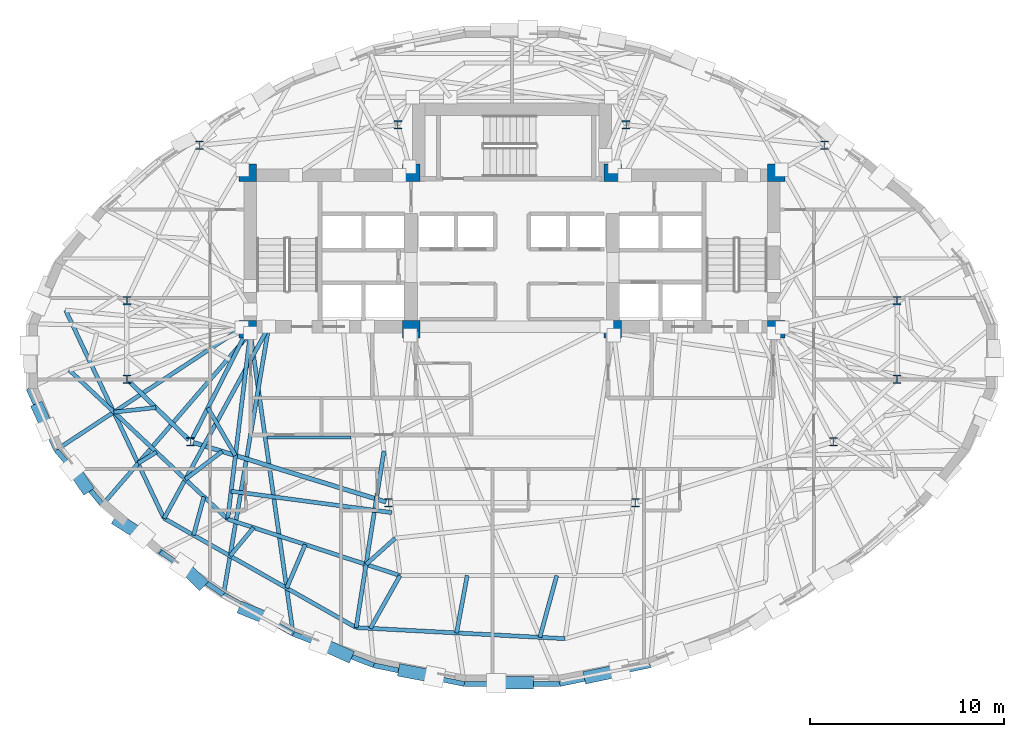
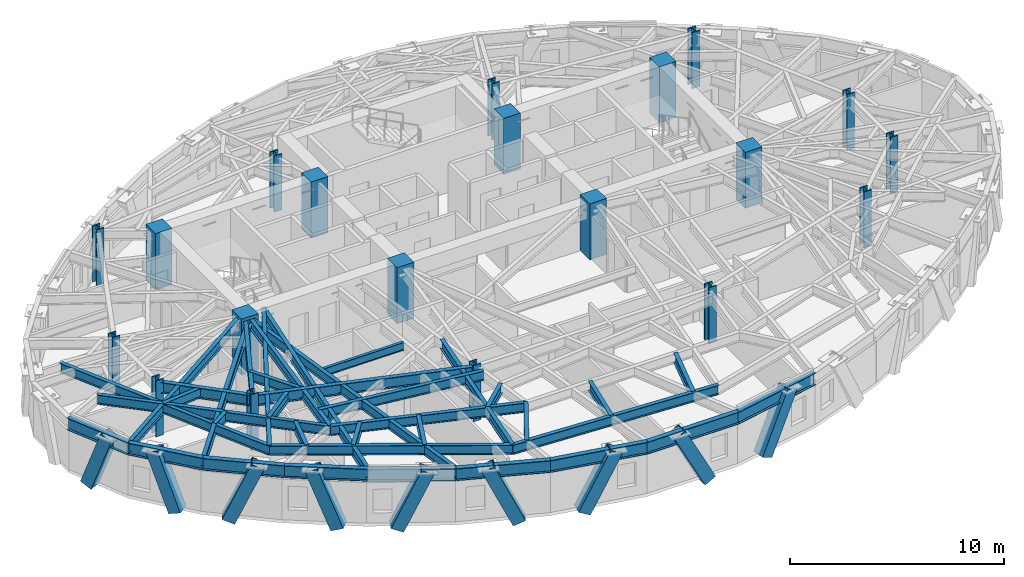
# One storey, part 1 of 14: 37 beams, 20 columns, 9 members.
"""IFC4 building model written with IfcOpenShell, lengths in metres."""

from ifc_helpers import new_model, si_unit, direction, frame, origin, origin_2d, place, context, subcontext, project, spatial, rectangle, hollow_rectangle, i_section, extrude, material, material_profile, profile_set, type_object, element, save


model = new_model("IFC4")

# Units and contexts
model_context = context("Model", 3, precision=1e-05, world=origin(), true_north=direction((0.0, 1.0)))
body_context = subcontext(model_context, "Body", "Model", "MODEL_VIEW")
ifc_project = project(units=[si_unit("LENGTHUNIT", "METRE"), si_unit("AREAUNIT", "SQUARE_METRE"), si_unit("VOLUMEUNIT", "CUBIC_METRE"), si_unit("PLANEANGLEUNIT", "RADIAN"), si_unit("MASSUNIT", "GRAM", prefix="KILO")], contexts=[model_context])

# Site, building, storey
site_placement = place(None, origin())
site = spatial("IfcSite", under=ifc_project, at=site_placement, CompositionType="ELEMENT")
building_placement = place(site_placement, origin())
building = spatial("IfcBuilding", under=site, at=building_placement, Name="Keldmark Tower", CompositionType="ELEMENT")
storey_placement = place(building_placement, frame((0.0, 0.0, 179.0)))
storey = spatial("IfcBuildingStorey", under=building, at=storey_placement, Name="L49", CompositionType="ELEMENT", Elevation=179.0)

# Columns
ifc_material_1 = material(Name="Concrete C50/60", Category="concrete")
ifc_material_profile_1 = material_profile(ifc_material_1, rectangle(XDim=0.89990234375, YDim=0.89990234375, at=origin_2d()), Name="RC900X900")
ifc_profile_set_1 = profile_set([ifc_material_profile_1], Name="Concrete C50/60")
column_type_1 = type_object("IfcColumnType", Name="Core Boundary Column RC900", PredefinedType="COLUMN", material=ifc_profile_set_1)
for number, where, z_axis, x_axis, name in (
    (1, (-13.60009765625, 1.39990234375, 0.0), (0.0, 0.0, 1.0), (1.0, 0.0, 0.0), "L49 Core Boundary Column CC-W1"),
    (2, (-13.60009765625, 9.449951171875, 0.0), (0.0, 0.0, 1.0), (1.0, 0.0, 0.0), "L49 Core Boundary Column CC-W2"),
    (3, (-5.199951171875, 1.39990234375, 0.0), (0.0, 0.0, 1.0), (1.0, 0.0, 0.0), "L49 Core Boundary Column CC-W3"),
    (4, (-5.199951171875, 9.449951171875, 0.0), (0.0, 0.0, 1.0), (1.0, 0.0, 0.0), "L49 Core Boundary Column CC-W4"),
    (5, (5.199951171875, 1.39990234375, 0.0), (0.0, 0.0, 1.0), (1.0, 0.0, 0.0), "L49 Core Boundary Column CC-E1"),
    (6, (5.199951171875, 9.449951171875, 0.0), (0.0, 0.0, 1.0), (1.0, 0.0, 0.0), "L49 Core Boundary Column CC-E2"),
    (7, (13.60009765625, 1.39990234375, 0.0), (0.0, 0.0, 1.0), (1.0, 0.0, 0.0), "L49 Core Boundary Column CC-E3"),
    (8, (13.60009765625, 9.449951171875, 0.0), (0.0, 0.0, 1.0), (1.0, 0.0, 0.0), "L49 Core Boundary Column CC-E4"),
):
    element("IfcColumn", number, at=place(storey_placement, frame(where, z_axis=z_axis, x_axis=x_axis)), inside=storey, type_object=column_type_1, Name=name, PredefinedType="COLUMN", context=body_context, shape_type="SweptSolid", body=[
        extrude(rectangle(XDim=0.89990234375, YDim=0.89990234375, at=origin_2d()), origin(), (0.0, 0.0, 1.0), 3.199951171875),
    ])
ifc_material_2 = material(Name="Steel ASTM A992 Grade 50", Category="steel")
ifc_material_profile_2 = material_profile(ifc_material_2, i_section(OverallWidth=0.412109375, OverallDepth=0.43505859375, WebThickness=0.035888671875, FlangeThickness=0.057373046875, at=origin_2d()), Name="W14X311")
ifc_profile_set_2 = profile_set([ifc_material_profile_2], Name="Steel ASTM A992 Grade 50")
column_type_2 = type_object("IfcColumnType", Name="Tower Gravity Column W14X311", PredefinedType="COLUMN", material=ifc_profile_set_2)
for number, where, z_axis, x_axis, name in (
    (9, (19.828369140625, 2.869140625, 0.0), (0.0, 0.0, 1.0), (1.0, 0.0, 0.0), "L49 Tower Gravity Column TC-E1"),
    (10, (16.08154296875, 10.861083984375, 0.0), (0.0, 0.0, 1.0), (1.0, 0.0, 0.0), "L49 Tower Gravity Column TC-E4"),
    (11, (5.880126953125, 11.915283203125, 0.0), (0.0, 0.0, 1.0), (1.0, 0.0, 0.0), "L49 Tower Gravity Column TC-N2"),
    (12, (-5.880126953125, 11.915283203125, 0.0), (0.0, 0.0, 1.0), (1.0, 0.0, 0.0), "L49 Tower Gravity Column TC-N1"),
    (13, (-16.08154296875, 10.861083984375, 0.0), (0.0, 0.0, 1.0), (1.0, 0.0, 0.0), "L49 Tower Gravity Column TC-W4"),
    (14, (-19.828369140625, 2.869140625, 0.0), (0.0, 0.0, 1.0), (1.0, 0.0, 0.0), "L49 Tower Gravity Column TC-W1"),
    (15, (-19.828369140625, -1.189208984375, 0.0), (0.0, 0.0, 1.0), (1.0, 0.0, 0.0), "L49 Tower Gravity Column TC-W5"),
    (16, (-16.546630859375, -4.3984375, 0.0), (0.0, 0.0, 1.0), (1.0, 0.0, 0.0), "L49 Tower Gravity Column TC-W2"),
    (17, (-6.351318359375, -7.546142578125, 0.0), (0.0, 0.0, 1.0), (1.0, 0.0, 0.0), "L49 Tower Gravity Column TC-W3"),
    (18, (6.351318359375, -7.546142578125, 0.0), (0.0, 0.0, 1.0), (1.0, 0.0, 0.0), "L49 Tower Gravity Column TC-E3"),
    (19, (16.546630859375, -4.3984375, 0.0), (0.0, 0.0, 1.0), (1.0, 0.0, 0.0), "L49 Tower Gravity Column TC-E2"),
    (20, (19.828369140625, -1.189208984375, 0.0), (0.0, 0.0, 1.0), (1.0, 0.0, 0.0), "L49 Tower Gravity Column TC-E5"),
):
    element("IfcColumn", number, at=place(storey_placement, frame(where, z_axis=z_axis, x_axis=x_axis)), inside=storey, type_object=column_type_2, Name=name, PredefinedType="COLUMN", context=body_context, shape_type="SweptSolid", body=[
        extrude(i_section(OverallWidth=0.412109375, OverallDepth=0.43505859375, WebThickness=0.035888671875, FlangeThickness=0.057373046875, at=origin_2d()), origin(), (0.0, 0.0, 1.0), 3.199951171875),
    ])

# Beam
ifc_material_3 = material(Name="Steel ASTM A992 Grade 50", Category="steel")
ifc_material_profile_3 = material_profile(ifc_material_3, i_section(OverallWidth=0.153076171875, OverallDepth=0.455078125, WebThickness=0.008056640625, FlangeThickness=0.01318359375, at=origin_2d()), Name="W18X40")
ifc_profile_set_3 = profile_set([ifc_material_profile_3], Name="Steel ASTM A992 Grade 50")
beam_type_1 = type_object("IfcBeamType", Name="Composite Floor Joist W18X40", PredefinedType="JOIST", material=ifc_profile_set_3)
beam_1_placement = place(storey_placement, frame((-12.61181640625, -4.179931640625, 2.79248046875), z_axis=(1.0, 0.0, 0.0), x_axis=(0.0, 1.0, 0.0)))
element("IfcBeam", 21, at=beam_1_placement, inside=storey, type_object=beam_type_1, Name="L49 Composite Floor Joist J01", PredefinedType="JOIST", context=body_context, shape_type="SweptSolid", body=[
    extrude(i_section(OverallWidth=0.153076171875, OverallDepth=0.455078125, WebThickness=0.008056640625, FlangeThickness=0.01318359375, at=origin_2d()), origin(), (0.0, 0.0, 1.0), 4.33203125),
])

# Members
ifc_material_4 = material(Name="Steel ASTM A572 Grade 50", Category="steel")
ifc_material_profile_4 = material_profile(ifc_material_4, hollow_rectangle(XDim=0.64990234375, YDim=0.64990234375, WallThickness=0.0400390625, at=origin_2d()), Name="BOX650X650X40")
ifc_profile_set_4 = profile_set([ifc_material_profile_4], Name="Steel ASTM A572 Grade 50")
member_type = type_object("IfcMemberType", Name="Diagrid Zone 3 Brace BOX650X650X40", PredefinedType="BRACE", material=ifc_profile_set_4)
member_1_placement = place(storey_placement, frame((-24.37158203125, -2.715087890625, -0.260009765625), z_axis=(0.143149940841, -0.312492040143, 0.939072318453), x_axis=(0.909148088369, 0.41647299242, 0.0)))
element("IfcMember", 22, at=member_1_placement, inside=storey, type_object=member_type, Name="L49 Perimeter Diagrid Brace 09A", PredefinedType="BRACE", context=body_context, shape_type="SweptSolid", body=[
    extrude(hollow_rectangle(XDim=0.64990234375, YDim=0.64990234375, WallThickness=0.0400390625, at=origin_2d()), origin(), (0.0, 0.0, 1.0), 3.364990234375),
])
member_2_placement = place(storey_placement, frame((-21.949462890625, -6.727294921875, -0.260009765625), z_axis=(-0.198464214627, 0.29031900784, 0.936123298075), x_axis=(-0.825539243753, -0.564344714713, 0.0)))
element("IfcMember", 23, at=member_2_placement, inside=storey, type_object=member_type, Name="L49 Perimeter Diagrid Brace 09B", PredefinedType="BRACE", context=body_context, shape_type="SweptSolid", body=[
    extrude(hollow_rectangle(XDim=0.64990234375, YDim=0.64990234375, WallThickness=0.0400390625, at=origin_2d()), origin(), (0.0, 0.0, 1.0), 3.37548828125),
])
member_3_placement = place(storey_placement, frame((-20.210693359375, -8.498046875, -0.260009765625), z_axis=(0.339267777896, -0.212608751465, 0.916348674731), x_axis=(0.531015818922, 0.847361906186, 0.0)))
element("IfcMember", 24, at=member_3_placement, inside=storey, type_object=member_type, Name="L49 Perimeter Diagrid Brace 10A", PredefinedType="BRACE", context=body_context, shape_type="SweptSolid", body=[
    extrude(hollow_rectangle(XDim=0.64990234375, YDim=0.64990234375, WallThickness=0.0400390625, at=origin_2d()), origin(), (0.0, 0.0, 1.0), 3.448486328125),
])
member_4_placement = place(storey_placement, frame((-16.072998046875, -11.631103515625, -0.260009765625), z_axis=(-0.264379087452, 0.254965208556, 0.9301056072), x_axis=(-0.694175398338, -0.719805887961, 0.0)))
element("IfcMember", 25, at=member_4_placement, inside=storey, type_object=member_type, Name="L49 Perimeter Diagrid Brace 10B", PredefinedType="BRACE", context=body_context, shape_type="SweptSolid", body=[
    extrude(hollow_rectangle(XDim=0.64990234375, YDim=0.64990234375, WallThickness=0.0400390625, at=origin_2d()), origin(), (0.0, 0.0, 1.0), 3.3974609375),
])
member_5_placement = place(storey_placement, frame((-13.76318359375, -13.027587890625, -0.260009765625), z_axis=(0.385020429939, -0.156566073719, 0.909530831302), x_axis=(0.376689941266, 0.926339402243, 0.0)))
element("IfcMember", 26, at=member_5_placement, inside=storey, type_object=member_type, Name="L49 Perimeter Diagrid Brace 11A", PredefinedType="BRACE", context=body_context, shape_type="SweptSolid", body=[
    extrude(hollow_rectangle(XDim=0.64990234375, YDim=0.64990234375, WallThickness=0.0400390625, at=origin_2d()), origin(), (0.0, 0.0, 1.0), 3.47412109375),
])
member_6_placement = place(storey_placement, frame((-8.516357421875, -15.385009765625, -0.260009765625), z_axis=(-0.384793069564, 0.173696179927, 0.906511958385), x_axis=(-0.411426697056, -0.911442852268, 0.0)))
element("IfcMember", 27, at=member_6_placement, inside=storey, type_object=member_type, Name="L49 Perimeter Diagrid Brace 11B", PredefinedType="BRACE", context=body_context, shape_type="SweptSolid", body=[
    extrude(hollow_rectangle(XDim=0.64990234375, YDim=0.64990234375, WallThickness=0.0400390625, at=origin_2d()), origin(), (0.0, 0.0, 1.0), 3.48583984375),
])
member_7_placement = place(storey_placement, frame((-5.5595703125, -16.2021484375, -0.260009765625), z_axis=(0.44299787084, -0.084337857416, 0.89254692439), x_axis=(0.187020756818, 0.982355962225, 0.0)))
element("IfcMember", 28, at=member_7_placement, inside=storey, type_object=member_type, Name="L49 Perimeter Diagrid Brace 12A", PredefinedType="BRACE", context=body_context, shape_type="SweptSolid", body=[
    extrude(hollow_rectangle(XDim=0.64990234375, YDim=0.64990234375, WallThickness=0.0400390625, at=origin_2d()), origin(), (0.0, 0.0, 1.0), 3.540283203125),
])
member_8_placement = place(storey_placement, frame((0.82275390625, -16.805419921875, -0.260009765625), z_axis=(-0.459383152838, -0.004323444671, 0.888227688554), x_axis=(0.009410996427, -0.999955715593, 0.0)))
element("IfcMember", 29, at=member_8_placement, inside=storey, type_object=member_type, Name="L49 Perimeter Diagrid Brace 12B", PredefinedType="BRACE", context=body_context, shape_type="SweptSolid", body=[
    extrude(hollow_rectangle(XDim=0.64990234375, YDim=0.64990234375, WallThickness=0.0400390625, at=origin_2d()), origin(), (0.0, 0.0, 1.0), 3.5576171875),
])
member_9_placement = place(storey_placement, frame((4.0078125, -16.502685546875, -0.260009765625), z_axis=(0.438744111946, 0.092334468388, 0.893855665183), x_axis=(-0.205940614609, 0.978564491107, 0.0)))
element("IfcMember", 30, at=member_9_placement, inside=storey, type_object=member_type, Name="L49 Perimeter Diagrid Brace 13A", PredefinedType="BRACE", context=body_context, shape_type="SweptSolid", body=[
    extrude(hollow_rectangle(XDim=0.64990234375, YDim=0.64990234375, WallThickness=0.0400390625, at=origin_2d()), origin(), (0.0, 0.0, 1.0), 3.53515625),
])

# Beams
ifc_material_5 = material(Name="Steel ASTM A992 Grade 50", Category="steel")
ifc_material_profile_5 = material_profile(ifc_material_5, i_section(OverallWidth=0.22900390625, OverallDepth=0.612060546875, WebThickness=0.011962890625, FlangeThickness=0.01953125, at=origin_2d()), Name="W24X84")
ifc_profile_set_5 = profile_set([ifc_material_profile_5], Name="Steel ASTM A992 Grade 50")
beam_type_2 = type_object("IfcBeamType", Name="Primary Floor Girder W24X84", PredefinedType="BEAM", material=ifc_profile_set_5)
beam_2_placement = place(storey_placement, frame((-19.728271484375, -1.287109375, 2.714111328125), z_axis=(0.714964509815, -0.699160746684, 0.0), x_axis=(0.699160746684, 0.714964509815, 0.0)))
element("IfcBeam", 31, at=beam_2_placement, inside=storey, type_object=beam_type_2, Name="L49 Floor Ring Girder FG-R07", PredefinedType="BEAM", context=body_context, shape_type="SweptSolid", body=[
    extrude(i_section(OverallWidth=0.22900390625, OverallDepth=0.612060546875, WebThickness=0.011962890625, FlangeThickness=0.01953125, at=origin_2d()), origin(), (0.0, 0.0, 1.0), 4.31005859375),
])
beam_3_placement = place(storey_placement, frame((-16.412841796875, -4.439697265625, 2.714111328125), z_axis=(0.955494563145, -0.295008711398, 0.0), x_axis=(0.295008711398, 0.955494563145, 0.0)))
element("IfcBeam", 32, at=beam_3_placement, inside=storey, type_object=beam_type_2, Name="L49 Floor Ring Girder FG-R08", PredefinedType="BEAM", context=body_context, shape_type="SweptSolid", body=[
    extrude(i_section(OverallWidth=0.22900390625, OverallDepth=0.612060546875, WebThickness=0.011962890625, FlangeThickness=0.01953125, at=origin_2d()), origin(), (0.0, 0.0, 1.0), 10.39013671875),
])
ifc_material_6 = material(Name="Steel ASTM A992 Grade 50", Category="steel")
ifc_material_profile_6 = material_profile(ifc_material_6, i_section(OverallWidth=0.2099609375, OverallDepth=0.537109375, WebThickness=0.010986328125, FlangeThickness=0.017333984375, at=origin_2d()), Name="W21X68")
ifc_profile_set_6 = profile_set([ifc_material_profile_6], Name="Steel ASTM A992 Grade 50")
beam_type_3 = type_object("IfcBeamType", Name="Radial Tie Girder W21X68", PredefinedType="BEAM", material=ifc_profile_set_6)
beam_4_placement = place(storey_placement, frame((-16.4833984375, -4.273681640625, 2.75146484375), z_axis=(0.453036691775, 0.891491870914, 0.0), x_axis=(-0.891491870914, 0.453036691775, 0.0)))
element("IfcBeam", 33, at=beam_4_placement, inside=storey, type_object=beam_type_3, Name="L49 Floor Radial Girder FG-C08", PredefinedType="BEAM", context=body_context, shape_type="SweptSolid", body=[
    extrude(i_section(OverallWidth=0.2099609375, OverallDepth=0.537109375, WebThickness=0.010986328125, FlangeThickness=0.017333984375, at=origin_2d()), origin(), (0.0, 0.0, 1.0), 6.044189453125),
])
beam_5_placement = place(storey_placement, frame((-15.661865234375, -2.6572265625, 2.75146484375), z_axis=(0.501056642961, -0.865414490602, 0.0), x_axis=(0.865414490602, 0.501056642961, 0.0)))
element("IfcBeam", 34, at=beam_5_placement, inside=storey, type_object=beam_type_3, Name="L49 Framing Pin Header PH-004", PredefinedType="BEAM", context=body_context, shape_type="SweptSolid", body=[
    extrude(i_section(OverallWidth=0.2099609375, OverallDepth=0.537109375, WebThickness=0.010986328125, FlangeThickness=0.017333984375, at=origin_2d()), origin(), (0.0, 0.0, 1.0), 2.834228515625),
])
beam_6_placement = place(storey_placement, frame((-13.47509765625, 1.199951171875, 2.75146484375), z_axis=(-0.120593299153, -0.992701997681, 0.0), x_axis=(0.992701997681, -0.120593299153, 0.0)))
element("IfcBeam", 35, at=beam_6_placement, inside=storey, type_object=beam_type_3, Name="L49 Sub-Ring Step Girder STP1-M08", PredefinedType="BEAM", context=body_context, shape_type="SweptSolid", body=[
    extrude(i_section(OverallWidth=0.2099609375, OverallDepth=0.537109375, WebThickness=0.010986328125, FlangeThickness=0.017333984375, at=origin_2d()), origin(), (0.0, 0.0, 1.0), 9.658935546875),
])
beam_7_placement = place(storey_placement, frame((-14.465087890625, -6.9501953125, 2.75146484375), z_axis=(0.99126946128, -0.131851640616, 0.0), x_axis=(0.131851640616, 0.99126946128, 0.0)))
element("IfcBeam", 36, at=beam_7_placement, inside=storey, type_object=beam_type_3, Name="L49 Framing Pin Header PH-005", PredefinedType="BEAM", context=body_context, shape_type="SweptSolid", body=[
    extrude(i_section(OverallWidth=0.2099609375, OverallDepth=0.537109375, WebThickness=0.010986328125, FlangeThickness=0.017333984375, at=origin_2d()), origin(), (0.0, 0.0, 1.0), 8.352783203125),
])
beam_8_placement = place(storey_placement, frame((-22.80029296875, -0.709228515625, 2.75146484375), z_axis=(0.728252440847, -0.685308968568, 0.0), x_axis=(0.685308968568, 0.728252440847, 0.0)))
element("IfcBeam", 37, at=beam_8_placement, inside=storey, type_object=beam_type_3, Name="L49 Perimeter Collector Ring Beam CRG1-M07", PredefinedType="BEAM", context=body_context, shape_type="SweptSolid", body=[
    extrude(i_section(OverallWidth=0.2099609375, OverallDepth=0.537109375, WebThickness=0.010986328125, FlangeThickness=0.017333984375, at=origin_2d()), origin(), (0.0, 0.0, 1.0), 11.20556640625),
])
beam_9_placement = place(storey_placement, frame((-14.639892578125, -8.388427734375, 2.75146484375), z_axis=(0.950389680724, -0.31106181825, 0.0), x_axis=(0.31106181825, 0.950389680724, 0.0)))
element("IfcBeam", 38, at=beam_9_placement, inside=storey, type_object=beam_type_3, Name="L49 Perimeter Collector Ring Beam CRG1-M08", PredefinedType="BEAM", context=body_context, shape_type="SweptSolid", body=[
    extrude(i_section(OverallWidth=0.2099609375, OverallDepth=0.537109375, WebThickness=0.010986328125, FlangeThickness=0.017333984375, at=origin_2d()), origin(), (0.0, 0.0, 1.0), 9.33740234375),
])
beam_10_placement = place(storey_placement, frame((-14.923583984375, -4.8994140625, 2.75146484375), z_axis=(-0.796589046339, -0.604521208273, 0.0), x_axis=(0.604521208273, -0.796589046339, 0.0)))
element("IfcBeam", 39, at=beam_10_placement, inside=storey, type_object=beam_type_3, Name="L49 Framing Pin Header PH-010", PredefinedType="BEAM", context=body_context, shape_type="SweptSolid", body=[
    extrude(i_section(OverallWidth=0.2099609375, OverallDepth=0.537109375, WebThickness=0.010986328125, FlangeThickness=0.017333984375, at=origin_2d()), origin(), (0.0, 0.0, 1.0), 2.379638671875),
])
beam_11_placement = place(storey_placement, frame((-12.52490234375, 1.52490234375, 2.75146484375), z_axis=(-0.479300633445, -0.877650786349, 0.0), x_axis=(0.877650786349, -0.479300633445, 0.0)))
element("IfcBeam", 40, at=beam_11_placement, inside=storey, type_object=beam_type_3, Name="L49 Sub-Ring Step Girder STP2-M08", PredefinedType="BEAM", context=body_context, shape_type="SweptSolid", body=[
    extrude(i_section(OverallWidth=0.2099609375, OverallDepth=0.537109375, WebThickness=0.010986328125, FlangeThickness=0.017333984375, at=origin_2d()), origin(), (0.0, 0.0, 1.0), 11.24951171875),
])
beam_12_placement = place(storey_placement, frame((-6.014404296875, -9.3701171875, 2.75146484375), z_axis=(-0.743209932569, -0.669058290533, 0.0), x_axis=(0.669058290533, -0.743209932569, 0.0)))
element("IfcBeam", 41, at=beam_12_placement, inside=storey, type_object=beam_type_3, Name="L49 Framing Pin Header PH-011", PredefinedType="BEAM", context=body_context, shape_type="SweptSolid", body=[
    extrude(i_section(OverallWidth=0.2099609375, OverallDepth=0.537109375, WebThickness=0.010986328125, FlangeThickness=0.017333984375, at=origin_2d()), origin(), (0.0, 0.0, 1.0), 2.018310546875),
])
beam_13_placement = place(storey_placement, frame((-6.59521484375, -4.884033203125, 2.75146484375), z_axis=(-0.155579656689, -0.987823349807, 0.0), x_axis=(0.987823349807, -0.155579656689, 0.0)))
element("IfcBeam", 42, at=beam_13_placement, inside=storey, type_object=beam_type_3, Name="L49 Sub-Ring Step Girder STP2-M09", PredefinedType="BEAM", context=body_context, shape_type="SweptSolid", body=[
    extrude(i_section(OverallWidth=0.2099609375, OverallDepth=0.537109375, WebThickness=0.010986328125, FlangeThickness=0.017333984375, at=origin_2d()), origin(), (0.0, 0.0, 1.0), 9.200439453125),
])
beam_14_placement = place(storey_placement, frame((-22.98974609375, 2.373291015625, 2.75146484375), z_axis=(0.4277023001, -0.903919654886, 0.0), x_axis=(0.903919654886, 0.4277023001, 0.0)))
element("IfcBeam", 43, at=beam_14_placement, inside=storey, type_object=beam_type_3, Name="L49 Perimeter Collector Ring Beam CRG2-M07", PredefinedType="BEAM", context=body_context, shape_type="SweptSolid", body=[
    extrude(i_section(OverallWidth=0.2099609375, OverallDepth=0.537109375, WebThickness=0.010986328125, FlangeThickness=0.017333984375, at=origin_2d()), origin(), (0.0, 0.0, 1.0), 11.861083984375),
])
beam_15_placement = place(storey_placement, frame((-17.916748046875, -8.34814453125, 2.75146484375), z_axis=(0.86927258149, -0.494333064917, 0.0), x_axis=(0.494333064917, 0.86927258149, 0.0)))
element("IfcBeam", 44, at=beam_15_placement, inside=storey, type_object=beam_type_3, Name="L49 Perimeter Collector Ring Beam CRG2-M08", PredefinedType="BEAM", context=body_context, shape_type="SweptSolid", body=[
    extrude(i_section(OverallWidth=0.2099609375, OverallDepth=0.537109375, WebThickness=0.010986328125, FlangeThickness=0.017333984375, at=origin_2d()), origin(), (0.0, 0.0, 1.0), 11.37744140625),
])
beam_16_placement = place(storey_placement, frame((-8.026611328125, -13.972412109375, 2.75146484375), z_axis=(0.998596398245, -0.052964454239, 0.0), x_axis=(0.052964454239, 0.998596398245, 0.0)))
element("IfcBeam", 45, at=beam_16_placement, inside=storey, type_object=beam_type_3, Name="L49 Perimeter Collector Ring Beam CRG2-M09", PredefinedType="BEAM", context=body_context, shape_type="SweptSolid", body=[
    extrude(i_section(OverallWidth=0.2099609375, OverallDepth=0.537109375, WebThickness=0.010986328125, FlangeThickness=0.017333984375, at=origin_2d()), origin(), (0.0, 0.0, 1.0), 10.7724609375),
])
beam_17_placement = place(storey_placement, frame((-18.341552734375, -2.643310546875, 2.75146484375), z_axis=(-0.994183696144, -0.107697624498, 0.0), x_axis=(0.107697624498, -0.994183696144, 0.0)))
element("IfcBeam", 46, at=beam_17_placement, inside=storey, type_object=beam_type_3, Name="L49 Framing Pin Header PH-028", PredefinedType="BEAM", context=body_context, shape_type="SweptSolid", body=[
    extrude(i_section(OverallWidth=0.2099609375, OverallDepth=0.537109375, WebThickness=0.010986328125, FlangeThickness=0.017333984375, at=origin_2d()), origin(), (0.0, 0.0, 1.0), 2.17626953125),
])
beam_18_placement = place(storey_placement, frame((-13.800048828125, 1.52490234375, 2.75146484375), z_axis=(-0.83590818194, -0.548869302627, 0.0), x_axis=(0.548869302627, -0.83590818194, 0.0)))
element("IfcBeam", 47, at=beam_18_placement, inside=storey, type_object=beam_type_3, Name="L49 Perimeter Radial Tie Girder RT-18", PredefinedType="BEAM", context=body_context, shape_type="SweptSolid", body=[
    extrude(i_section(OverallWidth=0.2099609375, OverallDepth=0.537109375, WebThickness=0.010986328125, FlangeThickness=0.017333984375, at=origin_2d()), origin(), (0.0, 0.0, 1.0), 11.573486328125),
])
beam_19_placement = place(storey_placement, frame((-18.31201171875, -4.932861328125, 2.75146484375), z_axis=(-0.850152680378, -0.526536247609, 0.0), x_axis=(0.526536247609, -0.850152680378, 0.0)))
element("IfcBeam", 48, at=beam_19_placement, inside=storey, type_object=beam_type_3, Name="L49 Framing Pin Header PH-029", PredefinedType="BEAM", context=body_context, shape_type="SweptSolid", body=[
    extrude(i_section(OverallWidth=0.2099609375, OverallDepth=0.537109375, WebThickness=0.010986328125, FlangeThickness=0.017333984375, at=origin_2d()), origin(), (0.0, 0.0, 1.0), 1.110595703125),
])
beam_20_placement = place(storey_placement, frame((-13.47509765625, 1.199951171875, 2.75146484375), z_axis=(-0.652300379165, -0.757960563183, 0.0), x_axis=(0.757960563183, -0.652300379165, 0.0)))
element("IfcBeam", 49, at=beam_20_placement, inside=storey, type_object=beam_type_3, Name="L49 Perimeter Radial Tie Girder RT-19", PredefinedType="BEAM", context=body_context, shape_type="SweptSolid", body=[
    extrude(i_section(OverallWidth=0.2099609375, OverallDepth=0.537109375, WebThickness=0.010986328125, FlangeThickness=0.017333984375, at=origin_2d()), origin(), (0.0, 0.0, 1.0), 11.66162109375),
])
beam_21_placement = place(storey_placement, frame((-15.864013671875, -7.236572265625, 2.75146484375), z_axis=(-0.26132977809, -0.965249577614, 0.0), x_axis=(0.965249577614, -0.26132977809, 0.0)))
element("IfcBeam", 50, at=beam_21_placement, inside=storey, type_object=beam_type_3, Name="L49 Framing Pin Header PH-030", PredefinedType="BEAM", context=body_context, shape_type="SweptSolid", body=[
    extrude(i_section(OverallWidth=0.2099609375, OverallDepth=0.537109375, WebThickness=0.010986328125, FlangeThickness=0.017333984375, at=origin_2d()), origin(), (0.0, 0.0, 1.0), 2.0458984375),
])
beam_22_placement = place(storey_placement, frame((-13.308837890625, -8.82421875, 2.75146484375), z_axis=(-0.638699200345, -0.769456516951, 0.0), x_axis=(0.769456516951, -0.638699200345, 0.0)))
element("IfcBeam", 51, at=beam_22_placement, inside=storey, type_object=beam_type_3, Name="L49 Framing Pin Header PH-031", PredefinedType="BEAM", context=body_context, shape_type="SweptSolid", body=[
    extrude(i_section(OverallWidth=0.2099609375, OverallDepth=0.537109375, WebThickness=0.010986328125, FlangeThickness=0.017333984375, at=origin_2d()), origin(), (0.0, 0.0, 1.0), 1.893310546875),
])
beam_23_placement = place(storey_placement, frame((-12.52490234375, 1.52490234375, 2.75146484375), z_axis=(-0.166481407077, -0.986044593869, 0.0), x_axis=(0.986044593869, -0.166481407077, 0.0)))
element("IfcBeam", 52, at=beam_23_placement, inside=storey, type_object=beam_type_3, Name="L49 Perimeter Radial Tie Girder RT-21", PredefinedType="BEAM", context=body_context, shape_type="SweptSolid", body=[
    extrude(i_section(OverallWidth=0.2099609375, OverallDepth=0.537109375, WebThickness=0.010986328125, FlangeThickness=0.017333984375, at=origin_2d()), origin(), (0.0, 0.0, 1.0), 13.990234375),
])
beam_24_placement = place(storey_placement, frame((-10.646484375, -9.695556640625, 2.75146484375), z_axis=(-0.392577592234, -0.919718888615, 0.0), x_axis=(0.919718888615, -0.392577592234, 0.0)))
element("IfcBeam", 53, at=beam_24_placement, inside=storey, type_object=beam_type_3, Name="L49 Framing Pin Header PH-032", PredefinedType="BEAM", context=body_context, shape_type="SweptSolid", body=[
    extrude(i_section(OverallWidth=0.2099609375, OverallDepth=0.537109375, WebThickness=0.010986328125, FlangeThickness=0.017333984375, at=origin_2d()), origin(), (0.0, 0.0, 1.0), 2.4384765625),
])
beam_25_placement = place(storey_placement, frame((-13.47509765625, 1.199951171875, 2.75146484375), z_axis=(0.141008521913, -0.99000838216, 0.0), x_axis=(0.99000838216, 0.141008521913, 0.0)))
element("IfcBeam", 54, at=beam_25_placement, inside=storey, type_object=beam_type_3, Name="L49 Perimeter Radial Tie Girder RT-22", PredefinedType="BEAM", context=body_context, shape_type="SweptSolid", body=[
    extrude(i_section(OverallWidth=0.2099609375, OverallDepth=0.537109375, WebThickness=0.010986328125, FlangeThickness=0.017333984375, at=origin_2d()), origin(), (0.0, 0.0, 1.0), 15.648193359375),
])
beam_26_placement = place(storey_placement, frame((-5.765625, -11.29296875, 2.75146484375), z_axis=(-0.489878324061, -0.871790816432, 0.0), x_axis=(0.871790816432, -0.489878324061, 0.0)))
element("IfcBeam", 55, at=beam_26_placement, inside=storey, type_object=beam_type_3, Name="L49 Framing Pin Header PH-033", PredefinedType="BEAM", context=body_context, shape_type="SweptSolid", body=[
    extrude(i_section(OverallWidth=0.2099609375, OverallDepth=0.537109375, WebThickness=0.010986328125, FlangeThickness=0.017333984375, at=origin_2d()), origin(), (0.0, 0.0, 1.0), 3.118408203125),
])
beam_27_placement = place(storey_placement, frame((-2.30615234375, -11.29296875, 2.75146484375), z_axis=(-0.18196702807, -0.983304632703, 0.0), x_axis=(0.983304632703, -0.18196702807, 0.0)))
element("IfcBeam", 56, at=beam_27_placement, inside=storey, type_object=beam_type_3, Name="L49 Framing Pin Header PH-034", PredefinedType="BEAM", context=body_context, shape_type="SweptSolid", body=[
    extrude(i_section(OverallWidth=0.2099609375, OverallDepth=0.537109375, WebThickness=0.010986328125, FlangeThickness=0.017333984375, at=origin_2d()), origin(), (0.0, 0.0, 1.0), 3.00390625),
])
beam_28_placement = place(storey_placement, frame((2.30615234375, -11.29296875, 2.75146484375), z_axis=(-0.264382270033, -0.964417967114, 0.0), x_axis=(0.964417967114, -0.264382270033, 0.0)))
element("IfcBeam", 57, at=beam_28_placement, inside=storey, type_object=beam_type_3, Name="L49 Framing Pin Header PH-035", PredefinedType="BEAM", context=body_context, shape_type="SweptSolid", body=[
    extrude(i_section(OverallWidth=0.2099609375, OverallDepth=0.537109375, WebThickness=0.010986328125, FlangeThickness=0.017333984375, at=origin_2d()), origin(), (0.0, 0.0, 1.0), 3.298583984375),
])
ifc_material_7 = material(Name="Steel ASTM A992 Grade 50", Category="steel")
ifc_material_profile_7 = material_profile(ifc_material_7, i_section(OverallWidth=0.256103515625, OverallDepth=0.693115234375, WebThickness=0.014404296875, FlangeThickness=0.023681640625, at=origin_2d()), Name="W27X114")
ifc_profile_set_7 = profile_set([ifc_material_profile_7], Name="Steel ASTM A992 Grade 50")
beam_type_4 = type_object("IfcBeamType", Name="Spandrel Ring Beam W27X114", PredefinedType="SPANDREL", material=ifc_profile_set_7)
beam_29_placement = place(storey_placement, frame((-24.900390625, -1.66259765625, 2.673583984375), z_axis=(0.410812065386, -0.911720048553, 0.0), x_axis=(0.911720048553, 0.410812065386, 0.0)))
element("IfcBeam", 58, at=beam_29_placement, inside=storey, type_object=beam_type_4, Name="L49 Perimeter Spandrel Ring Beam SRB-17", PredefinedType="SPANDREL", context=body_context, shape_type="SweptSolid", body=[
    extrude(i_section(OverallWidth=0.256103515625, OverallDepth=0.693115234375, WebThickness=0.014404296875, FlangeThickness=0.023681640625, at=origin_2d()), origin(), (0.0, 0.0, 1.0), 3.47119140625),
])
beam_30_placement = place(storey_placement, frame((-23.474365234375, -4.827392578125, 2.673583984375), z_axis=(0.648014991522, -0.761627580096, 0.0), x_axis=(0.761627580096, 0.648014991522, 0.0)))
element("IfcBeam", 59, at=beam_30_placement, inside=storey, type_object=beam_type_4, Name="L49 Perimeter Spandrel Ring Beam SRB-18", PredefinedType="SPANDREL", context=body_context, shape_type="SweptSolid", body=[
    extrude(i_section(OverallWidth=0.256103515625, OverallDepth=0.693115234375, WebThickness=0.014404296875, FlangeThickness=0.023681640625, at=origin_2d()), origin(), (0.0, 0.0, 1.0), 3.69189453125),
])
beam_31_placement = place(storey_placement, frame((-21.08203125, -7.63916015625, 2.673583984375), z_axis=(0.775197003773, -0.631719562259, 0.0), x_axis=(0.631719562259, 0.775197003773, 0.0)))
element("IfcBeam", 60, at=beam_31_placement, inside=storey, type_object=beam_type_4, Name="L49 Perimeter Spandrel Ring Beam SRB-19", PredefinedType="SPANDREL", context=body_context, shape_type="SweptSolid", body=[
    extrude(i_section(OverallWidth=0.256103515625, OverallDepth=0.693115234375, WebThickness=0.014404296875, FlangeThickness=0.023681640625, at=origin_2d()), origin(), (0.0, 0.0, 1.0), 3.847412109375),
])
beam_32_placement = place(storey_placement, frame((-18.099609375, -10.069580078125, 2.673583984375), z_axis=(0.827705067126, -0.561163364676, 0.0), x_axis=(0.561163364676, 0.827705067126, 0.0)))
element("IfcBeam", 61, at=beam_32_placement, inside=storey, type_object=beam_type_4, Name="L49 Perimeter Spandrel Ring Beam SRB-20", PredefinedType="SPANDREL", context=body_context, shape_type="SweptSolid", body=[
    extrude(i_section(OverallWidth=0.256103515625, OverallDepth=0.693115234375, WebThickness=0.014404296875, FlangeThickness=0.023681640625, at=origin_2d()), origin(), (0.0, 0.0, 1.0), 3.921142578125),
])
beam_33_placement = place(storey_placement, frame((-14.85400390625, -12.27001953125, 2.673583984375), z_axis=(0.871039635509, -0.491212737388, 0.0), x_axis=(0.491212737388, 0.871039635509, 0.0)))
element("IfcBeam", 62, at=beam_33_placement, inside=storey, type_object=beam_type_4, Name="L49 Perimeter Spandrel Ring Beam SRB-21", PredefinedType="SPANDREL", context=body_context, shape_type="SweptSolid", body=[
    extrude(i_section(OverallWidth=0.256103515625, OverallDepth=0.693115234375, WebThickness=0.014404296875, FlangeThickness=0.023681640625, at=origin_2d()), origin(), (0.0, 0.0, 1.0), 4.1162109375),
])
beam_34_placement = place(storey_placement, frame((-11.2685546875, -14.2919921875, 2.673583984375), z_axis=(0.93133333838, -0.364167836062, 0.0), x_axis=(0.364167836062, 0.93133333838, 0.0)))
element("IfcBeam", 63, at=beam_34_placement, inside=storey, type_object=beam_type_4, Name="L49 Perimeter Spandrel Ring Beam SRB-22", PredefinedType="SPANDREL", context=body_context, shape_type="SweptSolid", body=[
    extrude(i_section(OverallWidth=0.256103515625, OverallDepth=0.693115234375, WebThickness=0.014404296875, FlangeThickness=0.023681640625, at=origin_2d()), origin(), (0.0, 0.0, 1.0), 4.45361328125),
])
beam_35_placement = place(storey_placement, frame((-7.120849609375, -15.913818359375, 2.673583984375), z_axis=(0.979222564836, -0.202788482206, 0.0), x_axis=(0.202788482206, 0.979222564836, 0.0)))
element("IfcBeam", 64, at=beam_35_placement, inside=storey, type_object=beam_type_4, Name="L49 Perimeter Spandrel Ring Beam SRB-23", PredefinedType="SPANDREL", context=body_context, shape_type="SweptSolid", body=[
    extrude(i_section(OverallWidth=0.256103515625, OverallDepth=0.693115234375, WebThickness=0.014404296875, FlangeThickness=0.023681640625, at=origin_2d()), origin(), (0.0, 0.0, 1.0), 4.767578125),
])
beam_36_placement = place(storey_placement, frame((-2.452392578125, -16.880615234375, 2.673583984375), z_axis=(1.0, 0.0, 0.0), x_axis=(0.0, 1.0, 0.0)))
element("IfcBeam", 65, at=beam_36_placement, inside=storey, type_object=beam_type_4, Name="L49 Perimeter Spandrel Ring Beam SRB-24", PredefinedType="SPANDREL", context=body_context, shape_type="SweptSolid", body=[
    extrude(i_section(OverallWidth=0.256103515625, OverallDepth=0.693115234375, WebThickness=0.014404296875, FlangeThickness=0.023681640625, at=origin_2d()), origin(), (0.0, 0.0, 1.0), 4.90478515625),
])
beam_37_placement = place(storey_placement, frame((2.452392578125, -16.880615234375, 2.673583984375), z_axis=(0.979222564836, 0.202788482206, 0.0), x_axis=(-0.202788482206, 0.979222564836, 0.0)))
element("IfcBeam", 66, at=beam_37_placement, inside=storey, type_object=beam_type_4, Name="L49 Perimeter Spandrel Ring Beam SRB-25", PredefinedType="SPANDREL", context=body_context, shape_type="SweptSolid", body=[
    extrude(i_section(OverallWidth=0.256103515625, OverallDepth=0.693115234375, WebThickness=0.014404296875, FlangeThickness=0.023681640625, at=origin_2d()), origin(), (0.0, 0.0, 1.0), 4.767578125),
])

save(model, "model.ifc")
